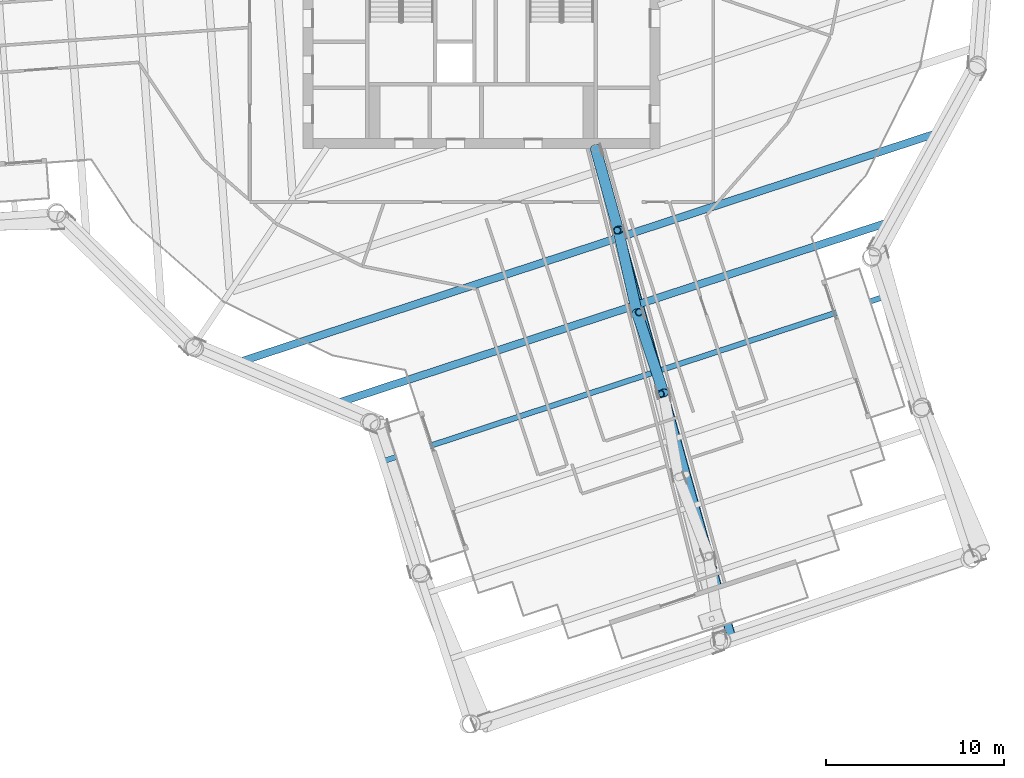
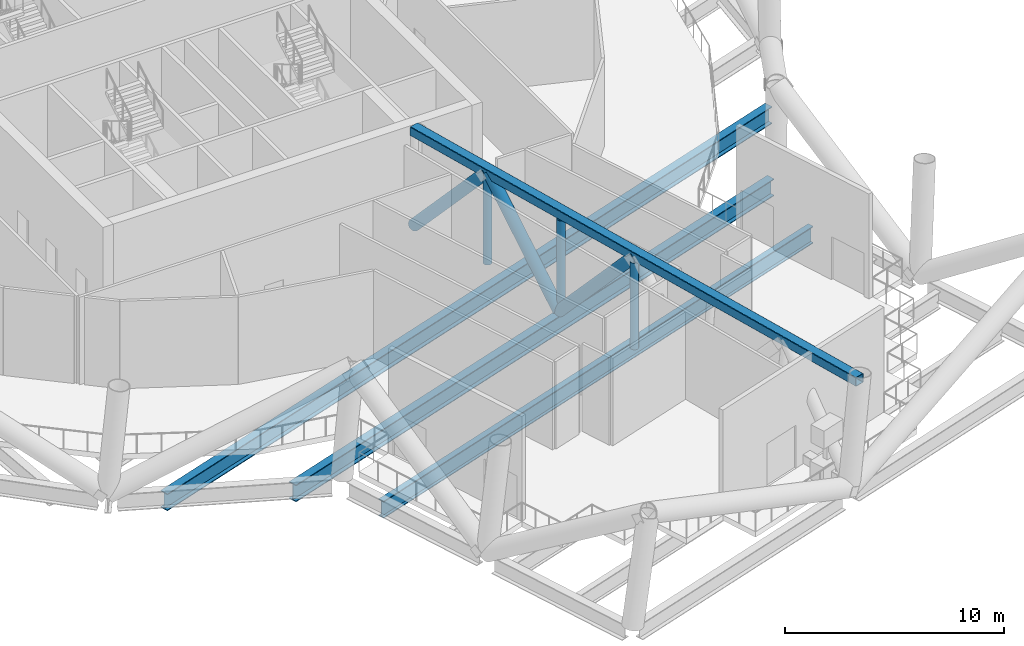
# One storey, part 2 of 33: 7 members, 3 beams.
"""IFC4 building model written with IfcOpenShell, lengths in metres."""

import ifcopenshell
import ifcopenshell.guid

model = None  # the IFC model being written
_history = None  # IfcOwnerHistory: only IFC2X3 demands one
_inside = {}  # id of a spatial element -> (the spatial element, [elements in it])
_under = {}  # id of a project, library or spatial element -> (it, [spatial elements below it])
_declared = {}  # id of a project -> (the project, [libraries it declares])
_typed = {}  # id of a type object -> (the type object, [elements of that type])
_made_of = {}  # id of a material, layer set ... -> (it, [elements and type objects made of it])


def new_model(schema):
    """Start an empty IFC model of exactly this schema.

    Asked for "IFC4X3", IfcOpenShell would pick the latest addendum, in which some entities
    have other attributes; the version numbers below select the first issue.
    IFC2X3 requires an IfcOwnerHistory on every rooted entity: one is made here for all.
    """
    global model, _history
    if schema == "IFC4X3":
        model = ifcopenshell.file(schema_version=(4, 3, 0, 0))
    else:
        model = ifcopenshell.file(schema=schema)
    _inside.clear()
    _under.clear()
    _declared.clear()
    _typed.clear()
    _made_of.clear()
    _history = None
    if model.schema == "IFC2X3":
        org = make("IfcOrganization", Name="unknown")
        user = make(
            "IfcPersonAndOrganization",
            ThePerson=make("IfcPerson", FamilyName="unknown"),
            TheOrganization=org,
        )
        app = make(
            "IfcApplication",
            ApplicationDeveloper=org,
            Version="unknown",
            ApplicationFullName="unknown",
            ApplicationIdentifier="unknown",
        )
        _history = make(
            "IfcOwnerHistory",
            OwningUser=user,
            OwningApplication=app,
            ChangeAction="ADDED",
            CreationDate=0,
        )
    return model


def make(cls, **values):
    """One entity of the class cls with the attributes given. An attribute that is None is left unset."""
    return model.create_entity(
        cls, **{name: value for name, value in values.items() if value is not None}
    )


def rooted(cls, **values):
    """An entity with a GlobalId (a new one), such as an element, a storey or a relation."""
    return make(cls, GlobalId=ifcopenshell.guid.new(), OwnerHistory=_history, **values)


def si_unit(unit_type, name, prefix=None):
    """IfcSIUnit, for example si_unit("LENGTHUNIT", "METRE", prefix="MILLI")."""
    return make("IfcSIUnit", UnitType=unit_type, Prefix=prefix, Name=name)


def assignment(units):
    """IfcUnitAssignment: the units of a project."""
    return None if units is None else make("IfcUnitAssignment", Units=units)


def point(xyz):
    """IfcCartesianPoint."""
    return None if xyz is None else make("IfcCartesianPoint", Coordinates=xyz)


def direction(xyz):
    """IfcDirection."""
    return None if xyz is None else make("IfcDirection", DirectionRatios=xyz)


def frame(location, z_axis=None, x_axis=None):
    """IfcAxis2Placement3D, a coordinate frame: its origin and axes. An axis left out is left unset."""
    return make(
        "IfcAxis2Placement3D",
        Location=point(location),
        Axis=direction(z_axis),
        RefDirection=direction(x_axis),
    )


def frame_2d(location, x_axis=None):
    """IfcAxis2Placement2D, a coordinate frame in the plane: its origin and x axis."""
    return make(
        "IfcAxis2Placement2D", Location=point(location), RefDirection=direction(x_axis)
    )


def origin():
    """The frame at (0, 0, 0) with its axes left unset."""
    return frame((0.0, 0.0, 0.0))


def origin_2d():
    """The frame at (0, 0) in the plane with its x axis left unset."""
    return frame_2d((0.0, 0.0))


def place(relative_to, where):
    """IfcLocalPlacement: puts the frame where relative to a parent placement (None: the world)."""
    return make(
        "IfcLocalPlacement", PlacementRelTo=relative_to, RelativePlacement=where
    )


def context(
    kind, dimensions, precision=None, world=None, true_north=None, identifier=None
):
    """IfcGeometricRepresentationContext, for example the 3D "Model" context."""
    return make(
        "IfcGeometricRepresentationContext",
        ContextIdentifier=identifier,
        ContextType=kind,
        CoordinateSpaceDimension=dimensions,
        Precision=precision,
        WorldCoordinateSystem=world,
        TrueNorth=true_north,
    )


def subcontext(parent, identifier, kind, view, scale=None):
    """IfcGeometricRepresentationSubContext, for example "Body" below "Model"."""
    return make(
        "IfcGeometricRepresentationSubContext",
        ContextIdentifier=identifier,
        ContextType=kind,
        ParentContext=parent,
        TargetScale=scale,
        TargetView=view,
    )


def project(units=None, contexts=None):
    """IfcProject with its units and contexts."""
    return rooted(
        "IfcProject",
        Name="project",
        RepresentationContexts=contexts,
        UnitsInContext=assignment(units),
    )


def spatial(cls, under=None, at=None, **own):
    """A site, building, storey or space (cls), placed at a placement, below another one or the project."""
    s = rooted(cls, ObjectPlacement=at, **own)
    if under is not None:
        _under.setdefault(under.id(), (under, []))[1].append(s)
    return s


def profile(cls, at=None, kind="AREA", **sizes):
    """A parametric profile (cls). Its sizes go by their IFC names, for example OverallWidth=200.0."""
    return make(cls, ProfileType=kind, Position=at, **sizes)


def hollow_rectangle(**sizes):
    """IfcRectangleHollowProfileDef."""
    return profile("IfcRectangleHollowProfileDef", **sizes)


def hollow_circle(**sizes):
    """IfcCircleHollowProfileDef."""
    return profile("IfcCircleHollowProfileDef", **sizes)


def i_section(**sizes):
    """IfcIShapeProfileDef."""
    return profile("IfcIShapeProfileDef", **sizes)


def extrude(swept, where, along, depth):
    """IfcExtrudedAreaSolid: the profile swept, set in the frame where, extruded along a direction by depth."""
    return make(
        "IfcExtrudedAreaSolid",
        SweptArea=swept,
        Position=where,
        ExtrudedDirection=direction(along),
        Depth=depth,
    )


def shape(context_of_items, identifier, shape_type, items):
    """IfcShapeRepresentation: the items that make up one representation, for example the "Body"."""
    return make(
        "IfcShapeRepresentation",
        ContextOfItems=context_of_items,
        RepresentationIdentifier=identifier,
        RepresentationType=shape_type,
        Items=items,
    )


def material(Name=None, Category=None):
    """IfcMaterial."""
    return make("IfcMaterial", Name=Name, Category=Category)


def material_profile(
    of_material, cross_section, Name=None, Category=None, Priority=None
):
    """IfcMaterialProfile: a cross section and its material."""
    return make(
        "IfcMaterialProfile",
        Name=Name,
        Material=of_material,
        Profile=cross_section,
        Priority=Priority,
        Category=Category,
    )


def profile_set(profiles, Name=None, composite=None):
    """IfcMaterialProfileSet."""
    return make(
        "IfcMaterialProfileSet",
        Name=Name,
        MaterialProfiles=profiles,
        CompositeProfile=composite,
    )


def made_of(thing, what):
    """Note that an element or type object is made of a material, layer set ...; save() writes the relation."""
    if what is not None:
        _made_of.setdefault(what.id(), (what, []))[1].append(thing)
    return thing


def type_object(cls, material=None, **own):
    """A type object (cls), such as IfcWallType, which elements share."""
    return made_of(rooted(cls, **own), material)


def element(
    cls,
    number,
    at=None,
    inside=None,
    cuts=None,
    type_object=None,
    material=None,
    context=None,
    identifier="Body",
    shape_type=None,
    held_by="IfcProductDefinitionShape",
    body=None,
    shapes=None,
    **own,
):
    """One element of the class cls, such as IfcWall. Its Tag is "e" and its number.

    at: its placement. inside: the storey or other place that contains it. cuts: it is an
    opening in that element (IfcRelVoidsElement). A single representation is given by context,
    identifier, shape_type and body (its items); several are given by shapes. held_by: the class
    of the entity that holds the representations. save() writes the other relations.
    """
    e = rooted(cls, Tag="e%d" % number, ObjectPlacement=at, **own)
    if body is not None:
        shapes = [shape(context, identifier, shape_type, body)]
    if shapes is not None:
        e.Representation = make(held_by, Representations=shapes)
    if inside is not None:
        _inside.setdefault(inside.id(), (inside, []))[1].append(e)
    if cuts is not None:
        rooted(
            "IfcRelVoidsElement", RelatingBuildingElement=cuts, RelatedOpeningElement=e
        )
    if type_object is not None:
        _typed.setdefault(type_object.id(), (type_object, []))[1].append(e)
    return made_of(e, material)


def aggregate(whole, parts):
    """IfcRelAggregates: a whole, such as a stair, and the parts it consists of."""
    return rooted("IfcRelAggregates", RelatingObject=whole, RelatedObjects=parts)


def save(model, path):
    """Write the relations noted so far, then the file.

    IfcRelAggregates (storeys below a building ...), IfcRelContainedInSpatialStructure (elements
    in a storey), IfcRelDefinesByType, IfcRelAssociatesMaterial and IfcRelDeclares: one each for
    every whole, place, type object, material and project.
    """
    for whole, parts in _under.values():
        aggregate(whole, parts)
    for where, things in _inside.values():
        rooted(
            "IfcRelContainedInSpatialStructure",
            RelatedElements=things,
            RelatingStructure=where,
        )
    for kind, things in _typed.values():
        rooted("IfcRelDefinesByType", RelatedObjects=things, RelatingType=kind)
    for what, things in _made_of.values():
        rooted("IfcRelAssociatesMaterial", RelatedObjects=things, RelatingMaterial=what)
    for by, libraries in _declared.values():
        rooted("IfcRelDeclares", RelatingContext=by, RelatedDefinitions=libraries)
    model.write(path)


model = new_model("IFC4")

# Units and contexts
model_context = context("Model", 3, precision=1e-05, world=origin(), true_north=direction((0.0, 1.0)))
body_context = subcontext(model_context, "Body", "Model", "MODEL_VIEW")
ifc_project = project(units=[si_unit("LENGTHUNIT", "METRE"), si_unit("AREAUNIT", "SQUARE_METRE"), si_unit("VOLUMEUNIT", "CUBIC_METRE"), si_unit("PLANEANGLEUNIT", "RADIAN"), si_unit("MASSUNIT", "GRAM", prefix="KILO")], contexts=[model_context])

# Site, building, storey
site_placement = place(None, origin())
site = spatial("IfcSite", under=ifc_project, at=site_placement, CompositionType="ELEMENT")
building_placement = place(site_placement, origin())
building = spatial("IfcBuilding", under=site, at=building_placement, Name="Tarsis Ring Headquarters", CompositionType="ELEMENT")
storey_placement = place(building_placement, frame((0.0, 0.0, 302.0)))
storey = spatial("IfcBuildingStorey", under=building, at=storey_placement, Name="L71", CompositionType="ELEMENT", Elevation=302.0)

# Beams
ifc_material = material(Name="Structural steel S355", Category="steel")
ifc_material_profile_1 = material_profile(ifc_material, i_section(OverallWidth=0.309814453125, OverallDepth=0.949951171875, WebThickness=0.0244140625, FlangeThickness=0.0439453125, at=origin_2d()), Name="W36x256")
ifc_profile_set_1 = profile_set([ifc_material_profile_1], Name="Structural steel S355")
beam_type_1 = type_object("IfcBeamType", Name="FB Floor beam W36x256", PredefinedType="JOIST", material=ifc_profile_set_1)
beam_1_placement = place(storey_placement, frame((-5.44775390625, -30.51806640625, -0.77490234375), z_axis=(0.95018831078, 0.311676393168, 0.0), x_axis=(-0.311676393168, 0.95018831078, 0.0)))
element("IfcBeam", 1, at=beam_1_placement, inside=storey, type_object=beam_type_1, Name="Floor beam FB11", PredefinedType="JOIST", context=body_context, shape_type="SweptSolid", body=[
    extrude(i_section(OverallWidth=0.309814453125, OverallDepth=0.949951171875, WebThickness=0.0244140625, FlangeThickness=0.0439453125, at=origin_2d()), origin(), (0.0, 0.0, 1.0), 29.3759765625),
])
ifc_material_profile_2 = material_profile(ifc_material, i_section(OverallWidth=0.42431640625, OverallDepth=0.947509765625, WebThickness=0.02392578125, FlangeThickness=0.042724609375, at=origin_2d()), Name="W36x302")
ifc_profile_set_2 = profile_set([ifc_material_profile_2], Name="Structural steel S355")
beam_type_2 = type_object("IfcBeamType", Name="FB Floor beam W36x302", PredefinedType="JOIST", material=ifc_profile_set_2)
beam_2_placement = place(storey_placement, frame((-13.715576171875, -25.02099609375, -0.773681640625), z_axis=(0.950190824272, 0.311668730337, 0.0), x_axis=(-0.311668730337, 0.950190824272, 0.0)))
element("IfcBeam", 2, at=beam_2_placement, inside=storey, type_object=beam_type_2, Name="Floor beam FB12", PredefinedType="JOIST", context=body_context, shape_type="SweptSolid", body=[
    extrude(i_section(OverallWidth=0.42431640625, OverallDepth=0.947509765625, WebThickness=0.02392578125, FlangeThickness=0.042724609375, at=origin_2d()), origin(), (0.0, 0.0, 1.0), 41.35302734375),
])
beam_3_placement = place(storey_placement, frame((-8.2841796875, -27.343994140625, -0.773681640625), z_axis=(0.950190007409, 0.31167122071, 0.0), x_axis=(-0.31167122071, 0.950190007409, 0.0)))
element("IfcBeam", 3, at=beam_3_placement, inside=storey, type_object=beam_type_2, Name="Floor beam FB12", PredefinedType="JOIST", context=body_context, shape_type="SweptSolid", body=[
    extrude(i_section(OverallWidth=0.42431640625, OverallDepth=0.947509765625, WebThickness=0.02392578125, FlangeThickness=0.042724609375, at=origin_2d()), origin(), (0.0, 0.0, 1.0), 32.70458984375),
])

# Members
ifc_material_profile_3 = material_profile(ifc_material, hollow_rectangle(XDim=0.508056640625, YDim=0.508056640625, WallThickness=0.025390625, InnerFilletRadius=0.025390625, OuterFilletRadius=0.05078125, at=origin_2d()), Name="HSS 508x508x25")
ifc_profile_set_3 = profile_set([ifc_material_profile_3], Name="Structural steel S355")
member_type_1 = type_object("IfcMemberType", Name="OC Outrigger chord HSS 508x508x25", PredefinedType="CHORD", material=ifc_profile_set_3)
member_1_placement = place(storey_placement, frame((6.39990234375, -13.0, 5.5859375), z_axis=(0.267757945521, -0.963486212984, 0.0), x_axis=(0.963486212984, 0.267757945521, 0.0)))
element("IfcMember", 4, at=member_1_placement, inside=storey, type_object=member_type_1, Name="Outrigger chord OC1", PredefinedType="CHORD", context=body_context, shape_type="SweptSolid", body=[
    extrude(hollow_rectangle(XDim=0.508056640625, YDim=0.508056640625, WallThickness=0.025390625, InnerFilletRadius=0.025390625, OuterFilletRadius=0.05078125, at=origin_2d()), origin(), (0.0, 0.0, 1.0), 28.476318359375),
])
ifc_material_profile_4 = material_profile(ifc_material, hollow_circle(Radius=0.3046875, WallThickness=0.02490234375, at=origin_2d()), Name="CHS 610x25")
ifc_profile_set_4 = profile_set([ifc_material_profile_4], Name="Structural steel S355")
member_type_2 = type_object("IfcMemberType", Name="OD Outrigger diagonal CHS 610x25", PredefinedType="BRACE", material=ifc_profile_set_4)
member_2_placement = place(storey_placement, frame((6.39990234375, -13.0, 0.25390625), z_axis=(0.178051758588, -0.640589596302, 0.746955514321), x_axis=(0.963475153327, 0.267797738827, 0.0)))
element("IfcMember", 5, at=member_2_placement, inside=storey, type_object=member_type_2, Name="Outrigger diagonal OD1", PredefinedType="BRACE", context=body_context, shape_type="SweptSolid", body=[
    extrude(hollow_circle(Radius=0.3046875, WallThickness=0.02490234375, at=origin_2d()), origin(), (0.0, 0.0, 1.0), 7.138427734375),
])
member_3_placement = place(storey_placement, frame((7.6708984375, -17.57275390625, 5.5859375), z_axis=(0.147226759043, -0.649819034812, -0.745693974374), x_axis=(0.975281636528, 0.220965448545, 0.0)))
element("IfcMember", 6, at=member_3_placement, inside=storey, type_object=member_type_2, Name="Outrigger diagonal OD1", PredefinedType="BRACE", context=body_context, shape_type="SweptSolid", body=[
    extrude(hollow_circle(Radius=0.3046875, WallThickness=0.02490234375, at=origin_2d()), origin(), (0.0, 0.0, 1.0), 7.150390625),
])
member_4_placement = place(storey_placement, frame((8.7236328125, -22.21923828125, 0.25390625), z_axis=(0.208698299733, -0.63068092284, 0.747453405407), x_axis=(0.949371376992, 0.314155993971, 0.0)))
element("IfcMember", 7, at=member_4_placement, inside=storey, type_object=member_type_2, Name="Outrigger diagonal OD1", PredefinedType="BRACE", context=body_context, shape_type="SweptSolid", body=[
    extrude(hollow_circle(Radius=0.3046875, WallThickness=0.02490234375, at=origin_2d()), origin(), (0.0, 0.0, 1.0), 7.133544921875),
])
ifc_material_profile_5 = material_profile(ifc_material, hollow_circle(Radius=0.203125, WallThickness=0.01611328125, at=origin_2d()), Name="CHS 406x16")
ifc_profile_set_5 = profile_set([ifc_material_profile_5], Name="Structural steel S355")
member_type_3 = type_object("IfcMemberType", Name="OV Outrigger post CHS 406x16", PredefinedType="STRUT", material=ifc_profile_set_5)
for number, where, z_axis, x_axis, name in (
    (8, (7.6162109375, -17.591064453125, 0.508056640625), (0.0, 0.0, 1.0), (1.0, 0.0, 0.0), "Outrigger post OV1"),
    (9, (8.83251953125, -22.182373046875, 0.508056640625), (0.0, 0.0, 1.0), (1.0, 0.0, 0.0), "Outrigger post OV1"),
    (10, (10.048828125, -26.7734375, 0.508056640625), (0.0, 0.0, 1.0), (1.0, 0.0, 0.0), "Outrigger post OV1"),
):
    element("IfcMember", number, at=place(storey_placement, frame(where, z_axis=z_axis, x_axis=x_axis)), inside=storey, type_object=member_type_3, Name=name, PredefinedType="STRUT", context=body_context, shape_type="SweptSolid", body=[
        extrude(hollow_circle(Radius=0.203125, WallThickness=0.01611328125, at=origin_2d()), origin(), (0.0, 0.0, 1.0), 4.823974609375),
    ])

save(model, "model.ifc")
